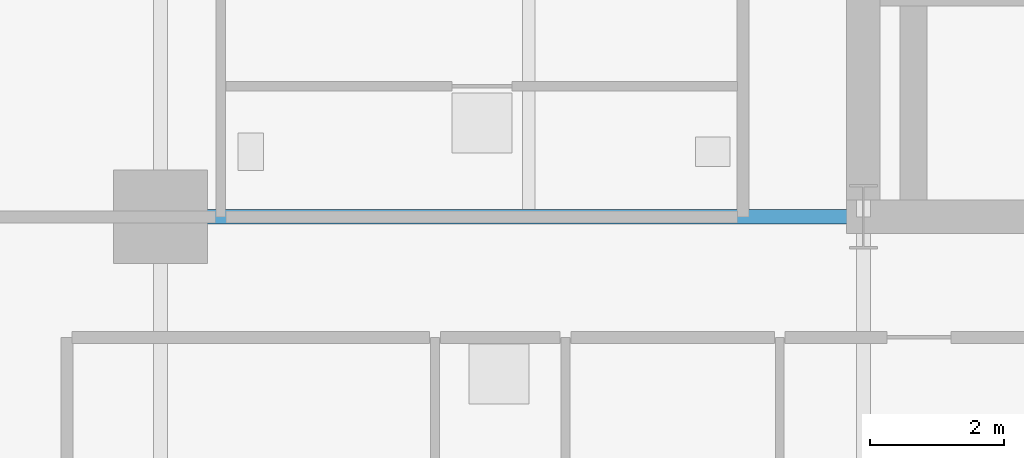
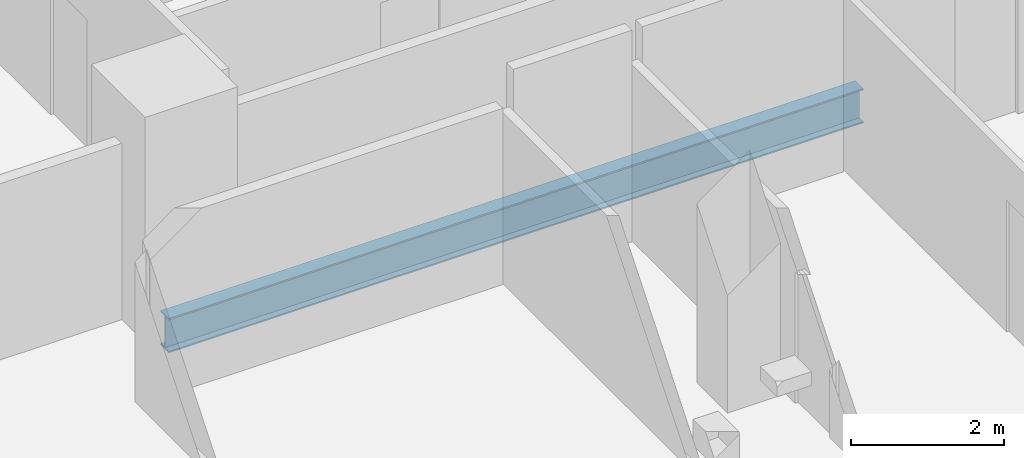
# One storey, part 7 of 28: 1 beam.
"""IFC4 building model written with IfcOpenShell, lengths in metres."""

from ifc_helpers import new_model, si_unit, direction, frame, origin, origin_2d, place, context, subcontext, project, spatial, i_section, extrude, material, material_profile, profile_set, type_object, element, save


model = new_model("IFC4")

# Units and contexts
model_context = context("Model", 3, precision=1e-05, world=origin(), true_north=direction((0.0, 1.0)))
body_context = subcontext(model_context, "Body", "Model", "MODEL_VIEW")
ifc_project = project(units=[si_unit("LENGTHUNIT", "METRE"), si_unit("AREAUNIT", "SQUARE_METRE"), si_unit("VOLUMEUNIT", "CUBIC_METRE"), si_unit("PLANEANGLEUNIT", "RADIAN"), si_unit("MASSUNIT", "GRAM", prefix="KILO")], contexts=[model_context])

# Site, building, storey
site_placement = place(None, origin())
site = spatial("IfcSite", under=ifc_project, at=site_placement, CompositionType="ELEMENT")
building_placement = place(site_placement, origin())
building = spatial("IfcBuilding", under=site, at=building_placement, Name="Barlavira Tower and Art Museum", CompositionType="ELEMENT")
storey_placement = place(building_placement, frame((0.0, 0.0, 39.60009765625)))
storey = spatial("IfcBuildingStorey", under=building, at=storey_placement, Name="L08", CompositionType="ELEMENT", Elevation=39.60009765625)

# Beam
ifc_material = material(Name="Steel S355", Category="steel")
ifc_material_profile = material_profile(ifc_material, i_section(OverallWidth=0.214111328125, OverallDepth=0.549072265625, WebThickness=0.0146484375, FlangeThickness=0.023681640625, at=origin_2d()), Name="W530x138.0")
ifc_profile_set = profile_set([ifc_material_profile], Name="Steel S355")
beam_type = type_object("IfcBeamType", Name="Zone 1 Primary Floor Girder W530x138 Steel S355", PredefinedType="BEAM", material=ifc_profile_set)
beam_placement = place(storey_placement, frame((-17.0, -7.5, -0.49462890625), z_axis=(1.0, 0.0, 0.0), x_axis=(0.0, 1.0, 0.0)))
element("IfcBeam", 1, at=beam_placement, inside=storey, type_object=beam_type, Name="L08 Girder R-W1", PredefinedType="BEAM", context=body_context, shape_type="SweptSolid", body=[
    extrude(i_section(OverallWidth=0.214111328125, OverallDepth=0.549072265625, WebThickness=0.0146484375, FlangeThickness=0.023681640625, at=origin_2d()), origin(), (0.0, 0.0, 1.0), 10.5),
])

save(model, "model.ifc")
